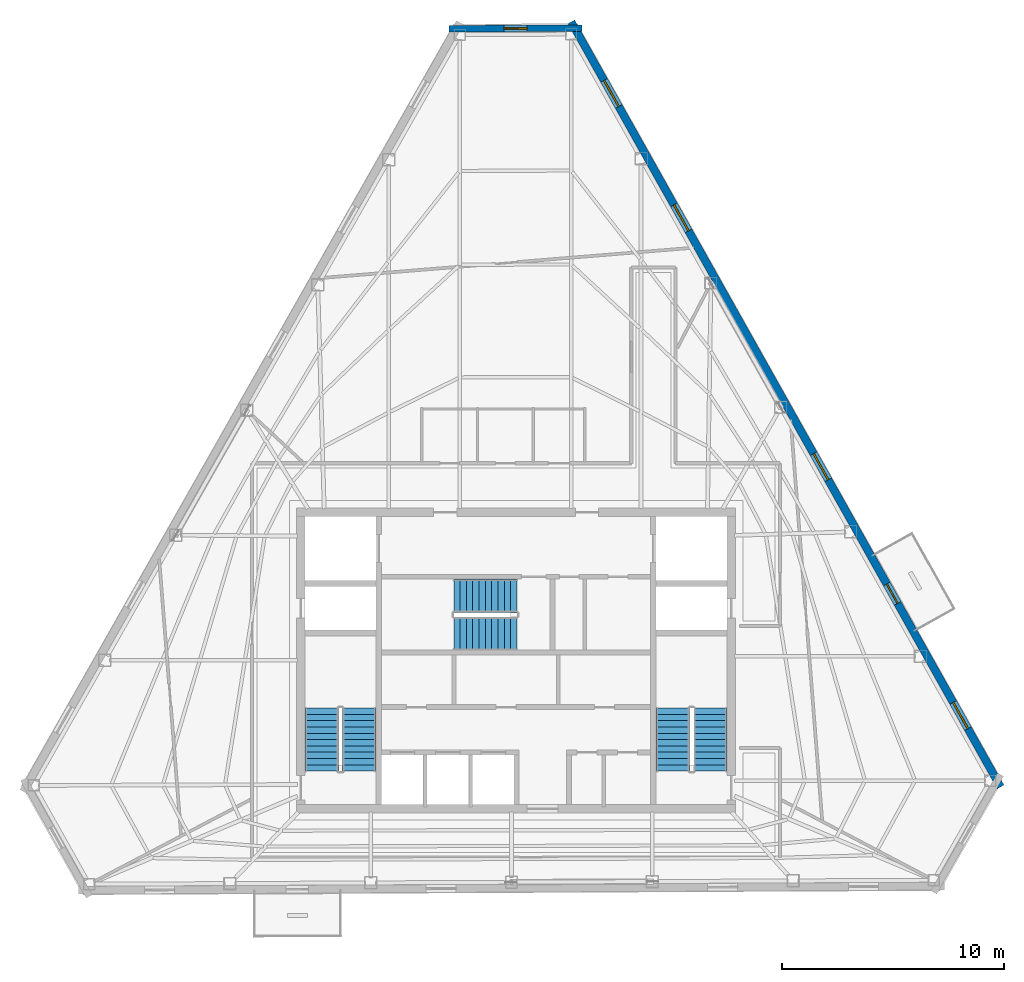
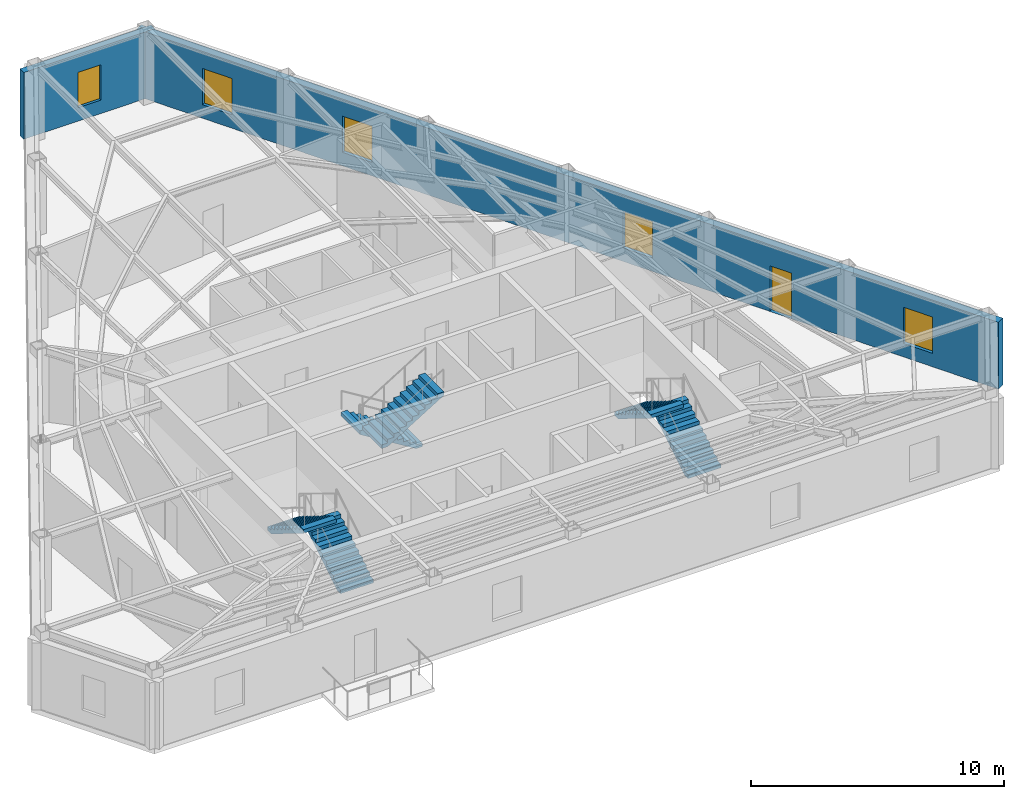
# One storey, part 7 of 9: 6 stair flights, 5 windows, 2 walls, 1 door, 6 openings, 3 elements without a shape of their own.
"""IFC4 building model written with IfcOpenShell, lengths in metres."""

from ifc_helpers import new_model, si_unit, direction, frame, frame_2d, origin, place, context, subcontext, project, spatial, polyline, rectangle, outline, extrude, material, layer, layer_set, type_object, element, fill, aggregate, save


model = new_model("IFC4")

# Units and contexts
model_context = context("Model", 3, precision=1e-05, world=origin(), true_north=direction((0.0, 1.0)))
body_context = subcontext(model_context, "Body", "Model", "MODEL_VIEW")
ifc_project = project(units=[si_unit("LENGTHUNIT", "METRE"), si_unit("AREAUNIT", "SQUARE_METRE"), si_unit("VOLUMEUNIT", "CUBIC_METRE"), si_unit("PLANEANGLEUNIT", "RADIAN"), si_unit("MASSUNIT", "GRAM", prefix="KILO")], contexts=[model_context])

# Site, building, storey
site_placement = place(None, origin())
site = spatial("IfcSite", under=ifc_project, at=site_placement, CompositionType="ELEMENT")
building_placement = place(site_placement, origin())
building = spatial("IfcBuilding", under=site, at=building_placement, Name="Kavelnor Concourse Tower", CompositionType="ELEMENT")
storey_placement = place(building_placement, frame((0.0, 0.0, 301.10009765625)))
storey = spatial("IfcBuildingStorey", under=building, at=storey_placement, Name="L76", CompositionType="ELEMENT", Elevation=301.10009765625)

# Wall, opening, window
ifc_material_1 = material(Name="Buff ironspot clay face brick masonry", Category="masonry")
ifc_layer_1 = layer(ifc_material_1, 0.300048828125, Name="Buff ironspot clay face brick masonry")
ifc_layer_set_1 = layer_set([ifc_layer_1], Name="Buff ironspot clay face brick masonry")
wall_type_1 = type_object("IfcWallType", Name="WL-EXT-BUFF-BRICK-FOLD-300", PredefinedType="STANDARD", material=ifc_layer_set_1)
wall_1_placement = place(storey_placement, frame((34.98291015625, 44.596435546875, 0.0), z_axis=(0.0, 0.0, 1.0), x_axis=(0.999988629955, 0.004768643558, 0.0)))
wall_1 = element("IfcWall", 1, at=wall_1_placement, inside=storey, type_object=wall_type_1, Name="L76 Exterior Brick Facade Wall E0", PredefinedType="STANDARD", context=body_context, shape_type="SweptSolid", body=[
    extrude(rectangle(XDim=5.989990234375, YDim=0.300048828125, at=frame_2d((2.9951171875, 0.0))), origin(), (0.0, 0.0, 1.0), 3.220947265625),
])
opening_1_placement = place(wall_1_placement, frame((2.469970703125, 0.0, 0.64990234375)))
opening_1 = element("IfcOpeningElement", 2, at=opening_1_placement, cuts=wall_1, Name="Opening W-06", PredefinedType="OPENING", context=body_context, shape_type="SweptSolid", body=[
    extrude(rectangle(XDim=1.050048828125, YDim=1.699951171875, at=frame_2d((0.52490234375, 0.85009765625))), frame((0.0, 0.16015625, 0.0), z_axis=(0.0, -1.0, 0.0), x_axis=(1.0, 0.0, 0.0)), (0.0, 0.0, 1.0), 0.320068359375),
])
ifc_material_2 = material(Name="Double low-E argon insulated glazing", Category="glass")
window_type_1 = type_object("IfcWindowType", Name="WIN-FOLD-1050", PartitioningType="SINGLE_PANEL", PredefinedType="WINDOW", material=ifc_material_2)
window_1_placement = place(opening_1_placement, origin())
window_1 = element("IfcWindow", 3, at=window_1_placement, inside=storey, type_object=window_type_1, Name="L76 Chamfer-Fold Facet Window C0", OverallHeight=1.699951171875, OverallWidth=1.050048828125, PartitioningType="SINGLE_PANEL", PredefinedType="WINDOW", context=body_context, shape_type="SweptSolid", body=[
    extrude(rectangle(XDim=1.050048828125, YDim=1.699951171875, at=frame_2d((0.52490234375, 0.85009765625))), frame((0.0, 0.030029296875, 0.0), z_axis=(0.0, -1.0, 0.0), x_axis=(1.0, 0.0, 0.0)), (0.0, 0.0, 1.0), 0.06005859375),
])
fill(opening_1, window_1)

# Wall, openings, door, windows
ifc_material_3 = material(Name="Red-ochre clay face brick masonry", Category="masonry")
ifc_layer_2 = layer(ifc_material_3, 0.35009765625, Name="Red-ochre clay face brick masonry")
ifc_layer_set_2 = layer_set([ifc_layer_2], Name="Red-ochre clay face brick masonry")
wall_type_2 = type_object("IfcWallType", Name="WL-EXT-RED-BRICK-PIER-350", PredefinedType="STANDARD", material=ifc_layer_set_2)
wall_2_placement = place(storey_placement, frame((40.490966796875, 44.905517578125, 0.0), z_axis=(0.0, 0.0, 1.0), x_axis=(0.489429021632, -0.872043136997, 0.0)))
wall_2 = element("IfcWall", 4, at=wall_2_placement, inside=storey, type_object=wall_type_2, Name="L76 Exterior Brick Facade Wall E5", PredefinedType="STANDARD", context=body_context, shape_type="SweptSolid", body=[
    extrude(rectangle(XDim=39.58056640625, YDim=0.35009765625, at=frame_2d((19.790283203125, 0.0))), origin(), (0.0, 0.0, 1.0), 3.220947265625),
])
opening_2_placement = place(wall_2_placement, frame((29.08544921875, 0.0, 0.0)))
opening_2 = element("IfcOpeningElement", 5, at=opening_2_placement, cuts=wall_2, Name="Opening BD-100", PredefinedType="OPENING", context=body_context, shape_type="SweptSolid", body=[
    extrude(rectangle(XDim=1.0, YDim=2.199951171875, at=frame_2d((0.5, 1.10009765625))), frame((0.0, 0.18505859375, 0.0), z_axis=(0.0, -1.0, 0.0), x_axis=(1.0, 0.0, 0.0)), (0.0, 0.0, 1.0), 0.3701171875),
])
opening_3_placement = place(wall_2_placement, frame((35.2158203125, 0.0, 0.64990234375)))
opening_3 = element("IfcOpeningElement", 6, at=opening_3_placement, cuts=wall_2, Name="Opening W-04", PredefinedType="OPENING", context=body_context, shape_type="SweptSolid", body=[
    extrude(rectangle(XDim=1.35009765625, YDim=1.75, at=frame_2d((0.675048828125, 0.875))), frame((0.0, 0.18505859375, 0.0), z_axis=(0.0, -1.0, 0.0), x_axis=(1.0, 0.0, 0.0)), (0.0, 0.0, 1.0), 0.3701171875),
])
opening_4_placement = place(wall_2_placement, frame((22.340087890625, 0.0, 0.64990234375)))
opening_4 = element("IfcOpeningElement", 7, at=opening_4_placement, cuts=wall_2, Name="Opening W-04", PredefinedType="OPENING", context=body_context, shape_type="SweptSolid", body=[
    extrude(rectangle(XDim=1.35009765625, YDim=1.75, at=frame_2d((0.675048828125, 0.875))), frame((0.0, 0.18505859375, 0.0), z_axis=(0.0, -1.0, 0.0), x_axis=(1.0, 0.0, 0.0)), (0.0, 0.0, 1.0), 0.3701171875),
])
opening_5_placement = place(wall_2_placement, frame((9.46435546875, 0.0, 0.64990234375)))
opening_5 = element("IfcOpeningElement", 8, at=opening_5_placement, cuts=wall_2, Name="Opening W-04", PredefinedType="OPENING", context=body_context, shape_type="SweptSolid", body=[
    extrude(rectangle(XDim=1.35009765625, YDim=1.75, at=frame_2d((0.675048828125, 0.875))), frame((0.0, 0.18505859375, 0.0), z_axis=(0.0, -1.0, 0.0), x_axis=(1.0, 0.0, 0.0)), (0.0, 0.0, 1.0), 0.3701171875),
])
opening_6_placement = place(wall_2_placement, frame((3.0263671875, 0.0, 0.64990234375)))
opening_6 = element("IfcOpeningElement", 9, at=opening_6_placement, cuts=wall_2, Name="Opening W-04", PredefinedType="OPENING", context=body_context, shape_type="SweptSolid", body=[
    extrude(rectangle(XDim=1.35009765625, YDim=1.75, at=frame_2d((0.675048828125, 0.875))), frame((0.0, 0.18505859375, 0.0), z_axis=(0.0, -1.0, 0.0), x_axis=(1.0, 0.0, 0.0)), (0.0, 0.0, 1.0), 0.3701171875),
])
ifc_material_4 = material(Name="Anodised aluminium 6063-T6", Category="aluminium")
door_type = type_object("IfcDoorType", Name="DR-BALCONY-EXT-1000", OperationType="NOTDEFINED", PredefinedType="DOOR", material=ifc_material_4)
door_placement = place(opening_2_placement, origin())
door = element("IfcDoor", 10, at=door_placement, inside=storey, type_object=door_type, Name="L76 Tree Balcony 2 Glazed Door", OperationType="SINGLE_SWING_RIGHT", OverallHeight=2.199951171875, OverallWidth=1.0, PredefinedType="DOOR", context=body_context, shape_type="SweptSolid", body=[
    extrude(rectangle(XDim=1.0, YDim=2.199951171875, at=frame_2d((0.5, 1.10009765625))), frame((0.0, 0.02490234375, 0.0), z_axis=(0.0, -1.0, 0.0), x_axis=(1.0, 0.0, 0.0)), (0.0, 0.0, 1.0), 0.050048828125),
])
fill(opening_2, door)
window_type_2 = type_object("IfcWindowType", Name="WIN-PIER-Z4-1350", PartitioningType="SINGLE_PANEL", PredefinedType="WINDOW", material=ifc_material_2)
window_2_placement = place(opening_3_placement, origin())
window_2 = element("IfcWindow", 11, at=window_2_placement, inside=storey, type_object=window_type_2, Name="L76 Deep-Set Brick Pier Window F2-B0", OverallHeight=1.75, OverallWidth=1.35009765625, PartitioningType="SINGLE_PANEL", PredefinedType="WINDOW", context=body_context, shape_type="SweptSolid", body=[
    extrude(rectangle(XDim=1.35009765625, YDim=1.75, at=frame_2d((0.675048828125, 0.875))), frame((0.0, 0.030029296875, 0.0), z_axis=(0.0, -1.0, 0.0), x_axis=(1.0, 0.0, 0.0)), (0.0, 0.0, 1.0), 0.06005859375),
])
fill(opening_3, window_2)
window_3_placement = place(opening_4_placement, origin())
window_3 = element("IfcWindow", 12, at=window_3_placement, inside=storey, type_object=window_type_2, Name="L76 Deep-Set Brick Pier Window F2-B2", OverallHeight=1.75, OverallWidth=1.35009765625, PartitioningType="SINGLE_PANEL", PredefinedType="WINDOW", context=body_context, shape_type="SweptSolid", body=[
    extrude(rectangle(XDim=1.35009765625, YDim=1.75, at=frame_2d((0.675048828125, 0.875))), frame((0.0, 0.030029296875, 0.0), z_axis=(0.0, -1.0, 0.0), x_axis=(1.0, 0.0, 0.0)), (0.0, 0.0, 1.0), 0.06005859375),
])
fill(opening_4, window_3)
window_4_placement = place(opening_5_placement, origin())
window_4 = element("IfcWindow", 13, at=window_4_placement, inside=storey, type_object=window_type_2, Name="L76 Deep-Set Brick Pier Window F2-B4", OverallHeight=1.75, OverallWidth=1.35009765625, PartitioningType="SINGLE_PANEL", PredefinedType="WINDOW", context=body_context, shape_type="SweptSolid", body=[
    extrude(rectangle(XDim=1.35009765625, YDim=1.75, at=frame_2d((0.675048828125, 0.875))), frame((0.0, 0.030029296875, 0.0), z_axis=(0.0, -1.0, 0.0), x_axis=(1.0, 0.0, 0.0)), (0.0, 0.0, 1.0), 0.06005859375),
])
fill(opening_5, window_4)
window_5_placement = place(opening_6_placement, origin())
window_5 = element("IfcWindow", 14, at=window_5_placement, inside=storey, type_object=window_type_2, Name="L76 Deep-Set Brick Pier Window F2-B5", OverallHeight=1.75, OverallWidth=1.35009765625, PartitioningType="SINGLE_PANEL", PredefinedType="WINDOW", context=body_context, shape_type="SweptSolid", body=[
    extrude(rectangle(XDim=1.35009765625, YDim=1.75, at=frame_2d((0.675048828125, 0.875))), frame((0.0, 0.030029296875, 0.0), z_axis=(0.0, -1.0, 0.0), x_axis=(1.0, 0.0, 0.0)), (0.0, 0.0, 1.0), 0.06005859375),
])
fill(opening_6, window_5)

# Stair, stair flights
ifc_material_5 = material(Name="Concrete C40/50", Category="concrete")
stair_type = type_object("IfcStairType", Name="STR-CORE-1500", PredefinedType="HALF_TURN_STAIR", material=ifc_material_5)
stair_1_placement = place(storey_placement, origin())
stair_1 = element("IfcStair", 15, at=stair_1_placement, inside=storey, type_object=stair_type, Name="L76 ST1", PredefinedType="HALF_TURN_STAIR")
stair_flight_type = type_object("IfcStairFlightType", Name="STR-FLIGHT-1500", PredefinedType="STRAIGHT", material=ifc_material_5)
stair_flight_1_placement = place(storey_placement, frame((30.929931640625, 11.10009765625, 0.0), z_axis=(0.0, 0.0, 1.0), x_axis=(0.0, 1.0, 0.0)))
stair_flight_1 = element("IfcStairFlight", 16, at=stair_flight_1_placement, type_object=stair_flight_type, Name="ST1 flight 1", NumberOfRisers=11, NumberOfTreads=10, PredefinedType="STRAIGHT", RiserHeight=0.175, TreadLength=0.285, context=body_context, shape_type="SweptSolid", body=[
    extrude(outline(polyline([(0.0, 0.0), (0.0, 0.175048828125), (0.284912109375, 0.175048828125), (0.284912109375, 0.35009765625), (0.570068359375, 0.35009765625), (0.570068359375, 0.52490234375), (0.85498046875, 0.52490234375), (0.85498046875, 0.699951171875), (1.139892578125, 0.699951171875), (1.139892578125, 0.875), (1.425048828125, 0.875), (1.425048828125, 1.050048828125), (1.7099609375, 1.050048828125), (1.7099609375, 1.22509765625), (1.9951171875, 1.22509765625), (1.9951171875, 1.39990234375), (2.280029296875, 1.39990234375), (2.280029296875, 1.574951171875), (2.56494140625, 1.574951171875), (2.56494140625, 1.75), (2.85009765625, 1.75), (2.85009765625, 1.925048828125), (2.85009765625, 1.573974609375), (0.286376953125, 0.0), (0.0, 0.0)])), frame((0.0, 0.75, 0.0), z_axis=(0.0, -1.0, 0.0), x_axis=(1.0, 0.0, 0.0)), (0.0, 0.0, 1.0), 1.5),
])
stair_flight_2_placement = place(storey_placement, frame((29.22998046875, 13.949951171875, 1.9248046875), z_axis=(0.0, 0.0, 1.0), x_axis=(0.0, -1.0, 0.0)))
stair_flight_2 = element("IfcStairFlight", 17, at=stair_flight_2_placement, type_object=stair_flight_type, Name="ST1 flight 2", NumberOfRisers=11, NumberOfTreads=10, PredefinedType="STRAIGHT", RiserHeight=0.175, TreadLength=0.285, context=body_context, shape_type="SweptSolid", body=[
    extrude(outline(polyline([(0.0, 0.0), (0.0, 0.175048828125), (0.284912109375, 0.175048828125), (0.284912109375, 0.35009765625), (0.570068359375, 0.35009765625), (0.570068359375, 0.52490234375), (0.85498046875, 0.52490234375), (0.85498046875, 0.699951171875), (1.139892578125, 0.699951171875), (1.139892578125, 0.875), (1.425048828125, 0.875), (1.425048828125, 1.050048828125), (1.7099609375, 1.050048828125), (1.7099609375, 1.22509765625), (1.9951171875, 1.22509765625), (1.9951171875, 1.39990234375), (2.280029296875, 1.39990234375), (2.280029296875, 1.574951171875), (2.56494140625, 1.574951171875), (2.56494140625, 1.75), (2.85009765625, 1.75), (2.85009765625, 1.925048828125), (2.85009765625, 1.573974609375), (0.286376953125, 0.0), (0.0, 0.0)])), frame((0.0, 0.75, 0.0), z_axis=(0.0, -1.0, 0.0), x_axis=(1.0, 0.0, 0.0)), (0.0, 0.0, 1.0), 1.5),
])
aggregate(stair_1, [stair_flight_1, stair_flight_2])

stair_2_placement = place(storey_placement, origin())
stair_2 = element("IfcStair", 18, at=stair_2_placement, inside=storey, type_object=stair_type, Name="L76 ST2", PredefinedType="HALF_TURN_STAIR")
stair_flight_3_placement = place(storey_placement, frame((46.77001953125, 11.10009765625, 0.0), z_axis=(0.0, 0.0, 1.0), x_axis=(0.0, 1.0, 0.0)))
stair_flight_3 = element("IfcStairFlight", 19, at=stair_flight_3_placement, type_object=stair_flight_type, Name="ST2 flight 1", NumberOfRisers=11, NumberOfTreads=10, PredefinedType="STRAIGHT", RiserHeight=0.175, TreadLength=0.285, context=body_context, shape_type="SweptSolid", body=[
    extrude(outline(polyline([(0.0, 0.0), (0.0, 0.175048828125), (0.284912109375, 0.175048828125), (0.284912109375, 0.35009765625), (0.570068359375, 0.35009765625), (0.570068359375, 0.52490234375), (0.85498046875, 0.52490234375), (0.85498046875, 0.699951171875), (1.139892578125, 0.699951171875), (1.139892578125, 0.875), (1.425048828125, 0.875), (1.425048828125, 1.050048828125), (1.7099609375, 1.050048828125), (1.7099609375, 1.22509765625), (1.9951171875, 1.22509765625), (1.9951171875, 1.39990234375), (2.280029296875, 1.39990234375), (2.280029296875, 1.574951171875), (2.56494140625, 1.574951171875), (2.56494140625, 1.75), (2.85009765625, 1.75), (2.85009765625, 1.925048828125), (2.85009765625, 1.573974609375), (0.286376953125, 0.0), (0.0, 0.0)])), frame((0.0, 0.75, 0.0), z_axis=(0.0, -1.0, 0.0), x_axis=(1.0, 0.0, 0.0)), (0.0, 0.0, 1.0), 1.5),
])
stair_flight_4_placement = place(storey_placement, frame((45.070068359375, 13.949951171875, 1.9248046875), z_axis=(0.0, 0.0, 1.0), x_axis=(0.0, -1.0, 0.0)))
stair_flight_4 = element("IfcStairFlight", 20, at=stair_flight_4_placement, type_object=stair_flight_type, Name="ST2 flight 2", NumberOfRisers=11, NumberOfTreads=10, PredefinedType="STRAIGHT", RiserHeight=0.175, TreadLength=0.285, context=body_context, shape_type="SweptSolid", body=[
    extrude(outline(polyline([(0.0, 0.0), (0.0, 0.175048828125), (0.284912109375, 0.175048828125), (0.284912109375, 0.35009765625), (0.570068359375, 0.35009765625), (0.570068359375, 0.52490234375), (0.85498046875, 0.52490234375), (0.85498046875, 0.699951171875), (1.139892578125, 0.699951171875), (1.139892578125, 0.875), (1.425048828125, 0.875), (1.425048828125, 1.050048828125), (1.7099609375, 1.050048828125), (1.7099609375, 1.22509765625), (1.9951171875, 1.22509765625), (1.9951171875, 1.39990234375), (2.280029296875, 1.39990234375), (2.280029296875, 1.574951171875), (2.56494140625, 1.574951171875), (2.56494140625, 1.75), (2.85009765625, 1.75), (2.85009765625, 1.925048828125), (2.85009765625, 1.573974609375), (0.286376953125, 0.0), (0.0, 0.0)])), frame((0.0, 0.75, 0.0), z_axis=(0.0, -1.0, 0.0), x_axis=(1.0, 0.0, 0.0)), (0.0, 0.0, 1.0), 1.5),
])
aggregate(stair_2, [stair_flight_3, stair_flight_4])

stair_3_placement = place(storey_placement, origin())
stair_3 = element("IfcStair", 21, at=stair_3_placement, inside=storey, type_object=stair_type, Name="L76 ST3", PredefinedType="HALF_TURN_STAIR")
stair_flight_5_placement = place(storey_placement, frame((38.0400390625, 19.010009765625, 0.0), z_axis=(0.0, 0.0, 1.0), x_axis=(-1.0, 0.0, 0.0)))
stair_flight_5 = element("IfcStairFlight", 22, at=stair_flight_5_placement, type_object=stair_flight_type, Name="ST3 flight 1", NumberOfRisers=11, NumberOfTreads=10, PredefinedType="STRAIGHT", RiserHeight=0.175, TreadLength=0.285, context=body_context, shape_type="SweptSolid", body=[
    extrude(outline(polyline([(0.0, 0.0), (0.0, 0.175048828125), (0.284912109375, 0.175048828125), (0.284912109375, 0.35009765625), (0.570068359375, 0.35009765625), (0.570068359375, 0.52490234375), (0.85498046875, 0.52490234375), (0.85498046875, 0.699951171875), (1.139892578125, 0.699951171875), (1.139892578125, 0.875), (1.425048828125, 0.875), (1.425048828125, 1.050048828125), (1.7099609375, 1.050048828125), (1.7099609375, 1.22509765625), (1.9951171875, 1.22509765625), (1.9951171875, 1.39990234375), (2.280029296875, 1.39990234375), (2.280029296875, 1.574951171875), (2.56494140625, 1.574951171875), (2.56494140625, 1.75), (2.85009765625, 1.75), (2.85009765625, 1.925048828125), (2.85009765625, 1.573974609375), (0.286376953125, 0.0), (0.0, 0.0)])), frame((0.0, 0.75, 0.0), z_axis=(0.0, -1.0, 0.0), x_axis=(1.0, 0.0, 0.0)), (0.0, 0.0, 1.0), 1.5),
])
stair_flight_6_placement = place(storey_placement, frame((35.18994140625, 17.31005859375, 1.9248046875), z_axis=(0.0, 0.0, 1.0), x_axis=(1.0, 0.0, 0.0)))
stair_flight_6 = element("IfcStairFlight", 23, at=stair_flight_6_placement, type_object=stair_flight_type, Name="ST3 flight 2", NumberOfRisers=11, NumberOfTreads=10, PredefinedType="STRAIGHT", RiserHeight=0.175, TreadLength=0.285, context=body_context, shape_type="SweptSolid", body=[
    extrude(outline(polyline([(0.0, 0.0), (0.0, 0.175048828125), (0.284912109375, 0.175048828125), (0.284912109375, 0.35009765625), (0.570068359375, 0.35009765625), (0.570068359375, 0.52490234375), (0.85498046875, 0.52490234375), (0.85498046875, 0.699951171875), (1.139892578125, 0.699951171875), (1.139892578125, 0.875), (1.425048828125, 0.875), (1.425048828125, 1.050048828125), (1.7099609375, 1.050048828125), (1.7099609375, 1.22509765625), (1.9951171875, 1.22509765625), (1.9951171875, 1.39990234375), (2.280029296875, 1.39990234375), (2.280029296875, 1.574951171875), (2.56494140625, 1.574951171875), (2.56494140625, 1.75), (2.85009765625, 1.75), (2.85009765625, 1.925048828125), (2.85009765625, 1.573974609375), (0.286376953125, 0.0), (0.0, 0.0)])), frame((0.0, 0.75, 0.0), z_axis=(0.0, -1.0, 0.0), x_axis=(1.0, 0.0, 0.0)), (0.0, 0.0, 1.0), 1.5),
])
aggregate(stair_3, [stair_flight_5, stair_flight_6])

save(model, "model.ifc")
